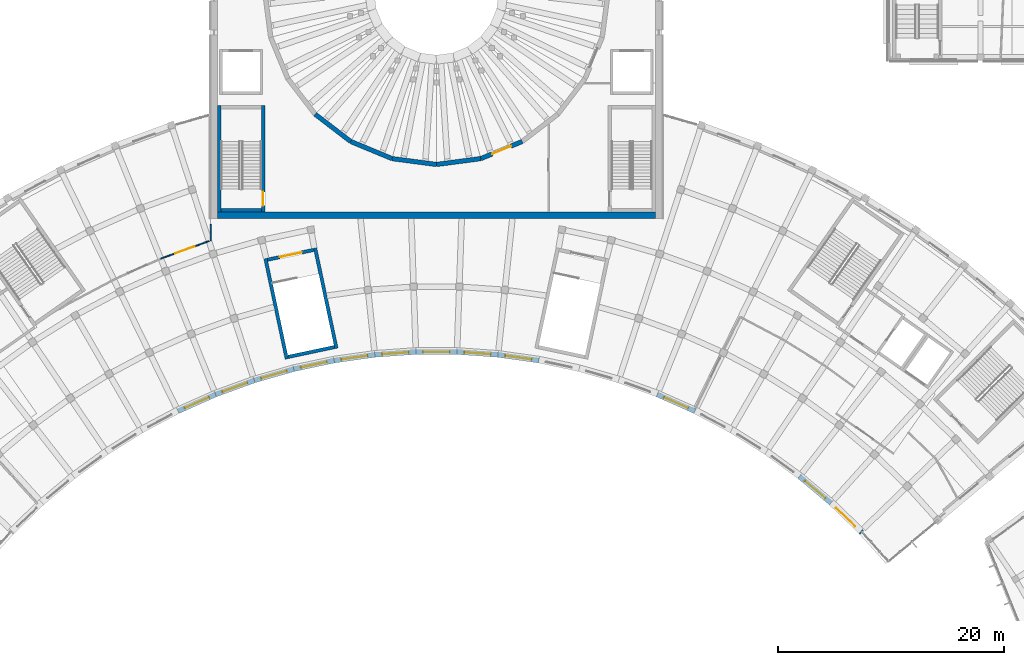
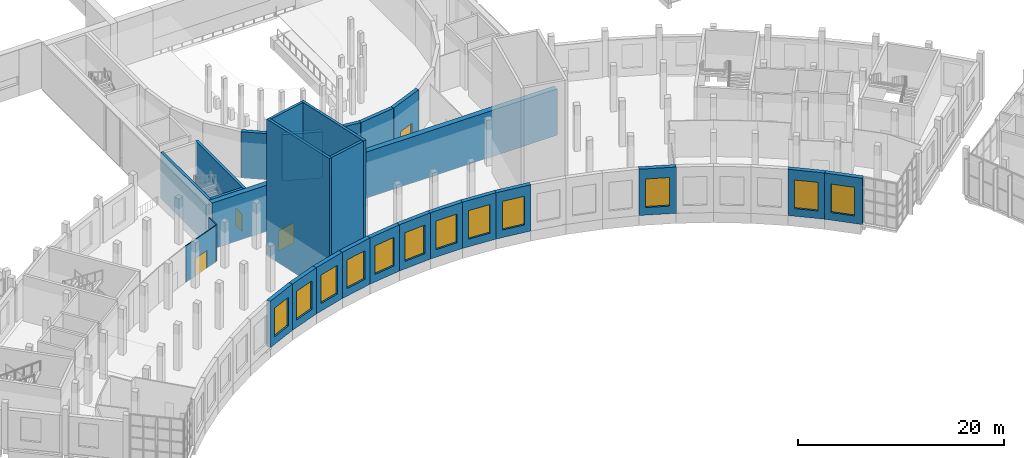
# One storey, part 33 of 87: 27 walls, 12 windows, 4 doors, 16 openings.
"""IFC4 building model written with IfcOpenShell, lengths in metres."""

import ifcopenshell
import ifcopenshell.guid

model = None  # the IFC model being written
_history = None  # IfcOwnerHistory: only IFC2X3 demands one
_inside = {}  # id of a spatial element -> (the spatial element, [elements in it])
_under = {}  # id of a project, library or spatial element -> (it, [spatial elements below it])
_declared = {}  # id of a project -> (the project, [libraries it declares])
_typed = {}  # id of a type object -> (the type object, [elements of that type])
_made_of = {}  # id of a material, layer set ... -> (it, [elements and type objects made of it])


def new_model(schema):
    """Start an empty IFC model of exactly this schema.

    Asked for "IFC4X3", IfcOpenShell would pick the latest addendum, in which some entities
    have other attributes; the version numbers below select the first issue.
    IFC2X3 requires an IfcOwnerHistory on every rooted entity: one is made here for all.
    """
    global model, _history
    if schema == "IFC4X3":
        model = ifcopenshell.file(schema_version=(4, 3, 0, 0))
    else:
        model = ifcopenshell.file(schema=schema)
    _inside.clear()
    _under.clear()
    _declared.clear()
    _typed.clear()
    _made_of.clear()
    _history = None
    if model.schema == "IFC2X3":
        org = make("IfcOrganization", Name="unknown")
        user = make(
            "IfcPersonAndOrganization",
            ThePerson=make("IfcPerson", FamilyName="unknown"),
            TheOrganization=org,
        )
        app = make(
            "IfcApplication",
            ApplicationDeveloper=org,
            Version="unknown",
            ApplicationFullName="unknown",
            ApplicationIdentifier="unknown",
        )
        _history = make(
            "IfcOwnerHistory",
            OwningUser=user,
            OwningApplication=app,
            ChangeAction="ADDED",
            CreationDate=0,
        )
    return model


def make(cls, **values):
    """One entity of the class cls with the attributes given. An attribute that is None is left unset."""
    return model.create_entity(
        cls, **{name: value for name, value in values.items() if value is not None}
    )


def rooted(cls, **values):
    """An entity with a GlobalId (a new one), such as an element, a storey or a relation."""
    return make(cls, GlobalId=ifcopenshell.guid.new(), OwnerHistory=_history, **values)


def si_unit(unit_type, name, prefix=None):
    """IfcSIUnit, for example si_unit("LENGTHUNIT", "METRE", prefix="MILLI")."""
    return make("IfcSIUnit", UnitType=unit_type, Prefix=prefix, Name=name)


def assignment(units):
    """IfcUnitAssignment: the units of a project."""
    return None if units is None else make("IfcUnitAssignment", Units=units)


def point(xyz):
    """IfcCartesianPoint."""
    return None if xyz is None else make("IfcCartesianPoint", Coordinates=xyz)


def direction(xyz):
    """IfcDirection."""
    return None if xyz is None else make("IfcDirection", DirectionRatios=xyz)


def frame(location, z_axis=None, x_axis=None):
    """IfcAxis2Placement3D, a coordinate frame: its origin and axes. An axis left out is left unset."""
    return make(
        "IfcAxis2Placement3D",
        Location=point(location),
        Axis=direction(z_axis),
        RefDirection=direction(x_axis),
    )


def frame_2d(location, x_axis=None):
    """IfcAxis2Placement2D, a coordinate frame in the plane: its origin and x axis."""
    return make(
        "IfcAxis2Placement2D", Location=point(location), RefDirection=direction(x_axis)
    )


def origin():
    """The frame at (0, 0, 0) with its axes left unset."""
    return frame((0.0, 0.0, 0.0))


def place(relative_to, where):
    """IfcLocalPlacement: puts the frame where relative to a parent placement (None: the world)."""
    return make(
        "IfcLocalPlacement", PlacementRelTo=relative_to, RelativePlacement=where
    )


def context(
    kind, dimensions, precision=None, world=None, true_north=None, identifier=None
):
    """IfcGeometricRepresentationContext, for example the 3D "Model" context."""
    return make(
        "IfcGeometricRepresentationContext",
        ContextIdentifier=identifier,
        ContextType=kind,
        CoordinateSpaceDimension=dimensions,
        Precision=precision,
        WorldCoordinateSystem=world,
        TrueNorth=true_north,
    )


def subcontext(parent, identifier, kind, view, scale=None):
    """IfcGeometricRepresentationSubContext, for example "Body" below "Model"."""
    return make(
        "IfcGeometricRepresentationSubContext",
        ContextIdentifier=identifier,
        ContextType=kind,
        ParentContext=parent,
        TargetScale=scale,
        TargetView=view,
    )


def project(units=None, contexts=None):
    """IfcProject with its units and contexts."""
    return rooted(
        "IfcProject",
        Name="project",
        RepresentationContexts=contexts,
        UnitsInContext=assignment(units),
    )


def spatial(cls, under=None, at=None, **own):
    """A site, building, storey or space (cls), placed at a placement, below another one or the project."""
    s = rooted(cls, ObjectPlacement=at, **own)
    if under is not None:
        _under.setdefault(under.id(), (under, []))[1].append(s)
    return s


def profile(cls, at=None, kind="AREA", **sizes):
    """A parametric profile (cls). Its sizes go by their IFC names, for example OverallWidth=200.0."""
    return make(cls, ProfileType=kind, Position=at, **sizes)


def rectangle(**sizes):
    """IfcRectangleProfileDef."""
    return profile("IfcRectangleProfileDef", **sizes)


def extrude(swept, where, along, depth):
    """IfcExtrudedAreaSolid: the profile swept, set in the frame where, extruded along a direction by depth."""
    return make(
        "IfcExtrudedAreaSolid",
        SweptArea=swept,
        Position=where,
        ExtrudedDirection=direction(along),
        Depth=depth,
    )


def shape(context_of_items, identifier, shape_type, items):
    """IfcShapeRepresentation: the items that make up one representation, for example the "Body"."""
    return make(
        "IfcShapeRepresentation",
        ContextOfItems=context_of_items,
        RepresentationIdentifier=identifier,
        RepresentationType=shape_type,
        Items=items,
    )


def material(Name=None, Category=None):
    """IfcMaterial."""
    return make("IfcMaterial", Name=Name, Category=Category)


def layer(
    of_material, thickness, ventilated=None, Name=None, Category=None, Priority=None
):
    """IfcMaterialLayer: one layer of a wall or slab, of a material (None: an air gap)."""
    return make(
        "IfcMaterialLayer",
        Material=of_material,
        LayerThickness=thickness,
        IsVentilated=ventilated,
        Name=Name,
        Category=Category,
        Priority=Priority,
    )


def layer_set(layers, Name=None):
    """IfcMaterialLayerSet."""
    return make("IfcMaterialLayerSet", MaterialLayers=layers, LayerSetName=Name)


def made_of(thing, what):
    """Note that an element or type object is made of a material, layer set ...; save() writes the relation."""
    if what is not None:
        _made_of.setdefault(what.id(), (what, []))[1].append(thing)
    return thing


def type_object(cls, material=None, **own):
    """A type object (cls), such as IfcWallType, which elements share."""
    return made_of(rooted(cls, **own), material)


def element(
    cls,
    number,
    at=None,
    inside=None,
    cuts=None,
    type_object=None,
    material=None,
    context=None,
    identifier="Body",
    shape_type=None,
    held_by="IfcProductDefinitionShape",
    body=None,
    shapes=None,
    **own,
):
    """One element of the class cls, such as IfcWall. Its Tag is "e" and its number.

    at: its placement. inside: the storey or other place that contains it. cuts: it is an
    opening in that element (IfcRelVoidsElement). A single representation is given by context,
    identifier, shape_type and body (its items); several are given by shapes. held_by: the class
    of the entity that holds the representations. save() writes the other relations.
    """
    e = rooted(cls, Tag="e%d" % number, ObjectPlacement=at, **own)
    if body is not None:
        shapes = [shape(context, identifier, shape_type, body)]
    if shapes is not None:
        e.Representation = make(held_by, Representations=shapes)
    if inside is not None:
        _inside.setdefault(inside.id(), (inside, []))[1].append(e)
    if cuts is not None:
        rooted(
            "IfcRelVoidsElement", RelatingBuildingElement=cuts, RelatedOpeningElement=e
        )
    if type_object is not None:
        _typed.setdefault(type_object.id(), (type_object, []))[1].append(e)
    return made_of(e, material)


def fill(opening, filler):
    """IfcRelFillsElement: the door or window that sits in an opening."""
    return rooted(
        "IfcRelFillsElement",
        RelatingOpeningElement=opening,
        RelatedBuildingElement=filler,
    )


def aggregate(whole, parts):
    """IfcRelAggregates: a whole, such as a stair, and the parts it consists of."""
    return rooted("IfcRelAggregates", RelatingObject=whole, RelatedObjects=parts)


def save(model, path):
    """Write the relations noted so far, then the file.

    IfcRelAggregates (storeys below a building ...), IfcRelContainedInSpatialStructure (elements
    in a storey), IfcRelDefinesByType, IfcRelAssociatesMaterial and IfcRelDeclares: one each for
    every whole, place, type object, material and project.
    """
    for whole, parts in _under.values():
        aggregate(whole, parts)
    for where, things in _inside.values():
        rooted(
            "IfcRelContainedInSpatialStructure",
            RelatedElements=things,
            RelatingStructure=where,
        )
    for kind, things in _typed.values():
        rooted("IfcRelDefinesByType", RelatedObjects=things, RelatingType=kind)
    for what, things in _made_of.values():
        rooted("IfcRelAssociatesMaterial", RelatedObjects=things, RelatingMaterial=what)
    for by, libraries in _declared.values():
        rooted("IfcRelDeclares", RelatingContext=by, RelatedDefinitions=libraries)
    model.write(path)


model = new_model("IFC4")

# Units and contexts
model_context = context("Model", 3, precision=1e-05, world=origin(), true_north=direction((0.0, 1.0)))
body_context = subcontext(model_context, "Body", "Model", "MODEL_VIEW")
ifc_project = project(units=[si_unit("LENGTHUNIT", "METRE"), si_unit("AREAUNIT", "SQUARE_METRE"), si_unit("VOLUMEUNIT", "CUBIC_METRE"), si_unit("PLANEANGLEUNIT", "RADIAN"), si_unit("MASSUNIT", "GRAM", prefix="KILO")], contexts=[model_context])

# Site, building, storey
site_placement = place(None, origin())
site = spatial("IfcSite", under=ifc_project, at=site_placement, CompositionType="ELEMENT")
building_placement = place(site_placement, origin())
building = spatial("IfcBuilding", under=site, at=building_placement, Name="Lunette Opera House", CompositionType="ELEMENT")
storey_placement = place(building_placement, frame((0.0, 0.0, 11.5)))
storey = spatial("IfcBuildingStorey", under=building, at=storey_placement, Name="L02", CompositionType="ELEMENT", Elevation=11.5)

# Wall, opening, window
ifc_material_1 = material(Name="Clinker brick", Category="masonry")
ifc_layer_1 = layer(ifc_material_1, 0.449951171875)
ifc_layer_set_1 = layer_set([ifc_layer_1], Name="Clinker brick")
wall_type_1 = type_object("IfcWallType", Name="CRESCENT BRICK WALL 450", PredefinedType="SOLIDWALL", material=ifc_layer_set_1)
wall_1_placement = place(storey_placement, frame((73.10595703125, 46.93994140625, 0.0), z_axis=(0.0, 0.0, 1.0), x_axis=(0.913593217191, 0.40662935642, 0.0)))
wall_1 = element("IfcWall", 1, at=wall_1_placement, inside=storey, type_object=wall_type_1, Name="Crescent Brick Wall 450 BW-A06 L02", PredefinedType="SOLIDWALL", context=body_context, shape_type="SweptSolid", body=[
    extrude(rectangle(XDim=3.64501953125, YDim=0.449951171875, at=frame_2d((1.822509765625, 0.0))), origin(), (0.0, 0.0, 1.0), 5.5),
])
opening_1_placement = place(wall_1_placement, frame((0.653076171875, 0.0, 0.89990234375)))
opening_1 = element("IfcOpeningElement", 2, at=opening_1_placement, cuts=wall_1, Name="Opening FC-N2016", PredefinedType="OPENING", context=body_context, shape_type="SweptSolid", body=[
    extrude(rectangle(XDim=2.340087890625, YDim=3.39990234375, at=frame_2d((1.169921875, 1.699951171875))), frame((0.0, 0.237060546875, 0.0), z_axis=(0.0, -1.0, 0.0), x_axis=(1.0, 0.0, 0.0)), (0.0, 0.0, 1.0), 0.473876953125),
])
ifc_material_2 = material(Name="Aluminium", Category="aluminium")
window_type = type_object("IfcWindowType", Name="CHICAGO WINDOW 2340 X 3400", PartitioningType="TRIPLE_PANEL_VERTICAL", PredefinedType="WINDOW", material=ifc_material_2)
window_1_placement = place(opening_1_placement, origin())
window_1 = element("IfcWindow", 3, at=window_1_placement, inside=storey, type_object=window_type, Name="Chicago Window 2340 X 3400 BW-A06 L02", OverallHeight=3.39990234375, OverallWidth=2.340087890625, PartitioningType="TRIPLE_PANEL_VERTICAL", PredefinedType="WINDOW", context=body_context, shape_type="SweptSolid", body=[
    extrude(rectangle(XDim=2.340087890625, YDim=3.39990234375, at=frame_2d((1.169921875, 1.699951171875))), frame((0.0, 0.030029296875, 0.0), z_axis=(0.0, -1.0, 0.0), x_axis=(1.0, 0.0, 0.0)), (0.0, 0.0, 1.0), 0.06005859375),
])
fill(opening_1, window_1)

wall_2_placement = place(storey_placement, frame((76.43603515625, 48.422119140625, 0.0), z_axis=(0.0, 0.0, 1.0), x_axis=(0.939705410483, 0.341985001877, 0.0)))
wall_2 = element("IfcWall", 4, at=wall_2_placement, inside=storey, type_object=wall_type_1, Name="Crescent Brick Wall 450 BW-A07 L02", PredefinedType="SOLIDWALL", context=body_context, shape_type="SweptSolid", body=[
    extrude(rectangle(XDim=3.645751953125, YDim=0.449951171875, at=frame_2d((1.82275390625, 0.0))), origin(), (0.0, 0.0, 1.0), 5.5),
])
opening_2_placement = place(wall_2_placement, frame((0.653076171875, 0.0, 0.89990234375)))
opening_2 = element("IfcOpeningElement", 5, at=opening_2_placement, cuts=wall_2, Name="Opening FC-N2019", PredefinedType="OPENING", context=body_context, shape_type="SweptSolid", body=[
    extrude(rectangle(XDim=2.340087890625, YDim=3.39990234375, at=frame_2d((1.169921875, 1.699951171875))), frame((0.0, 0.237060546875, 0.0), z_axis=(0.0, -1.0, 0.0), x_axis=(1.0, 0.0, 0.0)), (0.0, 0.0, 1.0), 0.473876953125),
])
window_2_placement = place(opening_2_placement, origin())
window_2 = element("IfcWindow", 6, at=window_2_placement, inside=storey, type_object=window_type, Name="Chicago Window 2340 X 3400 BW-A07 L02", OverallHeight=3.39990234375, OverallWidth=2.340087890625, PartitioningType="TRIPLE_PANEL_VERTICAL", PredefinedType="WINDOW", context=body_context, shape_type="SweptSolid", body=[
    extrude(rectangle(XDim=2.340087890625, YDim=3.39990234375, at=frame_2d((1.169921875, 1.699951171875))), frame((0.0, 0.030029296875, 0.0), z_axis=(0.0, -1.0, 0.0), x_axis=(1.0, 0.0, 0.0)), (0.0, 0.0, 1.0), 0.06005859375),
])
fill(opening_2, window_2)

wall_3_placement = place(storey_placement, frame((79.862060546875, 49.6689453125, 0.0), z_axis=(0.0, 0.0, 1.0), x_axis=(0.961232761004, 0.275738243942, 0.0)))
wall_3 = element("IfcWall", 7, at=wall_3_placement, inside=storey, type_object=wall_type_1, Name="Crescent Brick Wall 450 BW-A08 L02", PredefinedType="SOLIDWALL", context=body_context, shape_type="SweptSolid", body=[
    extrude(rectangle(XDim=3.645263671875, YDim=0.449951171875, at=frame_2d((1.82275390625, 0.0))), origin(), (0.0, 0.0, 1.0), 5.5),
])
opening_3_placement = place(wall_3_placement, frame((0.653076171875, 0.0, 0.89990234375)))
opening_3 = element("IfcOpeningElement", 8, at=opening_3_placement, cuts=wall_3, Name="Opening FC-N2022", PredefinedType="OPENING", context=body_context, shape_type="SweptSolid", body=[
    extrude(rectangle(XDim=2.340087890625, YDim=3.39990234375, at=frame_2d((1.169921875, 1.699951171875))), frame((0.0, 0.237060546875, 0.0), z_axis=(0.0, -1.0, 0.0), x_axis=(1.0, 0.0, 0.0)), (0.0, 0.0, 1.0), 0.473876953125),
])
window_3_placement = place(opening_3_placement, origin())
window_3 = element("IfcWindow", 9, at=window_3_placement, inside=storey, type_object=window_type, Name="Chicago Window 2340 X 3400 BW-A08 L02", OverallHeight=3.39990234375, OverallWidth=2.340087890625, PartitioningType="TRIPLE_PANEL_VERTICAL", PredefinedType="WINDOW", context=body_context, shape_type="SweptSolid", body=[
    extrude(rectangle(XDim=2.340087890625, YDim=3.39990234375, at=frame_2d((1.169921875, 1.699951171875))), frame((0.0, 0.030029296875, 0.0), z_axis=(0.0, -1.0, 0.0), x_axis=(1.0, 0.0, 0.0)), (0.0, 0.0, 1.0), 0.06005859375),
])
fill(opening_3, window_3)

wall_4_placement = place(storey_placement, frame((83.365966796875, 50.674072265625, 0.0), z_axis=(0.0, 0.0, 1.0), x_axis=(0.97814420729, 0.207927655077, 0.0)))
wall_4 = element("IfcWall", 10, at=wall_4_placement, inside=storey, type_object=wall_type_1, Name="Crescent Brick Wall 450 BW-A09 L02", PredefinedType="SOLIDWALL", context=body_context, shape_type="SweptSolid", body=[
    extrude(rectangle(XDim=3.64453125, YDim=0.449951171875, at=frame_2d((1.822265625, 0.0))), origin(), (0.0, 0.0, 1.0), 5.5),
])
opening_4_placement = place(wall_4_placement, frame((0.653076171875, 0.0, 0.89990234375)))
opening_4 = element("IfcOpeningElement", 11, at=opening_4_placement, cuts=wall_4, Name="Opening FC-N2025", PredefinedType="OPENING", context=body_context, shape_type="SweptSolid", body=[
    extrude(rectangle(XDim=2.340087890625, YDim=3.39990234375, at=frame_2d((1.169921875, 1.699951171875))), frame((0.0, 0.237060546875, 0.0), z_axis=(0.0, -1.0, 0.0), x_axis=(1.0, 0.0, 0.0)), (0.0, 0.0, 1.0), 0.473876953125),
])
window_4_placement = place(opening_4_placement, origin())
window_4 = element("IfcWindow", 12, at=window_4_placement, inside=storey, type_object=window_type, Name="Chicago Window 2340 X 3400 BW-A09 L02", OverallHeight=3.39990234375, OverallWidth=2.340087890625, PartitioningType="TRIPLE_PANEL_VERTICAL", PredefinedType="WINDOW", context=body_context, shape_type="SweptSolid", body=[
    extrude(rectangle(XDim=2.340087890625, YDim=3.39990234375, at=frame_2d((1.169921875, 1.699951171875))), frame((0.0, 0.030029296875, 0.0), z_axis=(0.0, -1.0, 0.0), x_axis=(1.0, 0.0, 0.0)), (0.0, 0.0, 1.0), 0.06005859375),
])
fill(opening_4, window_4)

wall_5_placement = place(storey_placement, frame((86.930908203125, 51.431884765625, 0.0), z_axis=(0.0, 0.0, 1.0), x_axis=(0.990278932008, 0.139095782903, 0.0)))
wall_5 = element("IfcWall", 13, at=wall_5_placement, inside=storey, type_object=wall_type_1, Name="Crescent Brick Wall 450 BW-A10 L02", PredefinedType="SOLIDWALL", context=body_context, shape_type="SweptSolid", body=[
    extrude(rectangle(XDim=3.6455078125, YDim=0.449951171875, at=frame_2d((1.82275390625, 0.0))), origin(), (0.0, 0.0, 1.0), 5.5),
])
opening_5_placement = place(wall_5_placement, frame((0.653076171875, 0.0, 0.89990234375)))
opening_5 = element("IfcOpeningElement", 14, at=opening_5_placement, cuts=wall_5, Name="Opening FC-N2028", PredefinedType="OPENING", context=body_context, shape_type="SweptSolid", body=[
    extrude(rectangle(XDim=2.340087890625, YDim=3.39990234375, at=frame_2d((1.169921875, 1.699951171875))), frame((0.0, 0.237060546875, 0.0), z_axis=(0.0, -1.0, 0.0), x_axis=(1.0, 0.0, 0.0)), (0.0, 0.0, 1.0), 0.473876953125),
])
window_5_placement = place(opening_5_placement, origin())
window_5 = element("IfcWindow", 15, at=window_5_placement, inside=storey, type_object=window_type, Name="Chicago Window 2340 X 3400 BW-A10 L02", OverallHeight=3.39990234375, OverallWidth=2.340087890625, PartitioningType="TRIPLE_PANEL_VERTICAL", PredefinedType="WINDOW", context=body_context, shape_type="SweptSolid", body=[
    extrude(rectangle(XDim=2.340087890625, YDim=3.39990234375, at=frame_2d((1.169921875, 1.699951171875))), frame((0.0, 0.030029296875, 0.0), z_axis=(0.0, -1.0, 0.0), x_axis=(1.0, 0.0, 0.0)), (0.0, 0.0, 1.0), 0.06005859375),
])
fill(opening_5, window_5)

wall_6_placement = place(storey_placement, frame((90.541015625, 51.93896484375, 0.0), z_axis=(0.0, 0.0, 1.0), x_axis=(0.99756600756, 0.069728477397, 0.0)))
wall_6 = element("IfcWall", 16, at=wall_6_placement, inside=storey, type_object=wall_type_1, Name="Crescent Brick Wall 450 BW-A11 L02", PredefinedType="SOLIDWALL", context=body_context, shape_type="SweptSolid", body=[
    extrude(rectangle(XDim=3.644775390625, YDim=0.449951171875, at=frame_2d((1.822265625, 0.0))), origin(), (0.0, 0.0, 1.0), 5.5),
])
opening_6_placement = place(wall_6_placement, frame((0.653076171875, 0.0, 0.89990234375)))
opening_6 = element("IfcOpeningElement", 17, at=opening_6_placement, cuts=wall_6, Name="Opening FC-N2031", PredefinedType="OPENING", context=body_context, shape_type="SweptSolid", body=[
    extrude(rectangle(XDim=2.340087890625, YDim=3.39990234375, at=frame_2d((1.169921875, 1.699951171875))), frame((0.0, 0.237060546875, 0.0), z_axis=(0.0, -1.0, 0.0), x_axis=(1.0, 0.0, 0.0)), (0.0, 0.0, 1.0), 0.473876953125),
])
window_6_placement = place(opening_6_placement, origin())
window_6 = element("IfcWindow", 18, at=window_6_placement, inside=storey, type_object=window_type, Name="Chicago Window 2340 X 3400 BW-A11 L02", OverallHeight=3.39990234375, OverallWidth=2.340087890625, PartitioningType="TRIPLE_PANEL_VERTICAL", PredefinedType="WINDOW", context=body_context, shape_type="SweptSolid", body=[
    extrude(rectangle(XDim=2.340087890625, YDim=3.39990234375, at=frame_2d((1.169921875, 1.699951171875))), frame((0.0, 0.030029296875, 0.0), z_axis=(0.0, -1.0, 0.0), x_axis=(1.0, 0.0, 0.0)), (0.0, 0.0, 1.0), 0.06005859375),
])
fill(opening_6, window_6)

wall_7_placement = place(storey_placement, frame((94.177001953125, 52.193115234375, 0.0), z_axis=(0.0, 0.0, 1.0), x_axis=(1.0, 0.0, 0.0)))
wall_7 = element("IfcWall", 19, at=wall_7_placement, inside=storey, type_object=wall_type_1, Name="Crescent Brick Wall 450 BW-A12 L02", PredefinedType="SOLIDWALL", context=body_context, shape_type="SweptSolid", body=[
    extrude(rectangle(XDim=3.64599609375, YDim=0.449951171875, at=frame_2d((1.822998046875, 0.0))), origin(), (0.0, 0.0, 1.0), 5.5),
])
opening_7_placement = place(wall_7_placement, frame((0.653076171875, 0.0, 0.89990234375)))
opening_7 = element("IfcOpeningElement", 20, at=opening_7_placement, cuts=wall_7, Name="Opening FC-N2034", PredefinedType="OPENING", context=body_context, shape_type="SweptSolid", body=[
    extrude(rectangle(XDim=2.340087890625, YDim=3.39990234375, at=frame_2d((1.169921875, 1.699951171875))), frame((0.0, 0.237060546875, 0.0), z_axis=(0.0, -1.0, 0.0), x_axis=(1.0, 0.0, 0.0)), (0.0, 0.0, 1.0), 0.473876953125),
])
window_7_placement = place(opening_7_placement, origin())
window_7 = element("IfcWindow", 21, at=window_7_placement, inside=storey, type_object=window_type, Name="Chicago Window 2340 X 3400 BW-A12 L02", OverallHeight=3.39990234375, OverallWidth=2.340087890625, PartitioningType="TRIPLE_PANEL_VERTICAL", PredefinedType="WINDOW", context=body_context, shape_type="SweptSolid", body=[
    extrude(rectangle(XDim=2.340087890625, YDim=3.39990234375, at=frame_2d((1.169921875, 1.699951171875))), frame((0.0, 0.030029296875, 0.0), z_axis=(0.0, -1.0, 0.0), x_axis=(1.0, 0.0, 0.0)), (0.0, 0.0, 1.0), 0.06005859375),
])
fill(opening_7, window_7)

wall_8_placement = place(storey_placement, frame((97.822998046875, 52.193115234375, 0.0), z_axis=(0.0, 0.0, 1.0), x_axis=(0.99756600756, -0.069728477397, 0.0)))
wall_8 = element("IfcWall", 22, at=wall_8_placement, inside=storey, type_object=wall_type_1, Name="Crescent Brick Wall 450 BW-A13 L02", PredefinedType="SOLIDWALL", context=body_context, shape_type="SweptSolid", body=[
    extrude(rectangle(XDim=3.644775390625, YDim=0.449951171875, at=frame_2d((1.822265625, 0.0))), origin(), (0.0, 0.0, 1.0), 5.5),
])
opening_8_placement = place(wall_8_placement, frame((0.653076171875, 0.0, 0.89990234375)))
opening_8 = element("IfcOpeningElement", 23, at=opening_8_placement, cuts=wall_8, Name="Opening FC-N2037", PredefinedType="OPENING", context=body_context, shape_type="SweptSolid", body=[
    extrude(rectangle(XDim=2.340087890625, YDim=3.39990234375, at=frame_2d((1.169921875, 1.699951171875))), frame((0.0, 0.237060546875, 0.0), z_axis=(0.0, -1.0, 0.0), x_axis=(1.0, 0.0, 0.0)), (0.0, 0.0, 1.0), 0.473876953125),
])
window_8_placement = place(opening_8_placement, origin())
window_8 = element("IfcWindow", 24, at=window_8_placement, inside=storey, type_object=window_type, Name="Chicago Window 2340 X 3400 BW-A13 L02", OverallHeight=3.39990234375, OverallWidth=2.340087890625, PartitioningType="TRIPLE_PANEL_VERTICAL", PredefinedType="WINDOW", context=body_context, shape_type="SweptSolid", body=[
    extrude(rectangle(XDim=2.340087890625, YDim=3.39990234375, at=frame_2d((1.169921875, 1.699951171875))), frame((0.0, 0.030029296875, 0.0), z_axis=(0.0, -1.0, 0.0), x_axis=(1.0, 0.0, 0.0)), (0.0, 0.0, 1.0), 0.06005859375),
])
fill(opening_8, window_8)

wall_9_placement = place(storey_placement, frame((101.458984375, 51.93896484375, 0.0), z_axis=(0.0, 0.0, 1.0), x_axis=(0.990278932008, -0.139095782903, 0.0)))
wall_9 = element("IfcWall", 25, at=wall_9_placement, inside=storey, type_object=wall_type_1, Name="Crescent Brick Wall 450 BW-A14 L02", PredefinedType="SOLIDWALL", context=body_context, shape_type="SweptSolid", body=[
    extrude(rectangle(XDim=3.6455078125, YDim=0.449951171875, at=frame_2d((1.82275390625, 0.0))), origin(), (0.0, 0.0, 1.0), 5.5),
])
opening_9_placement = place(wall_9_placement, frame((0.653076171875, 0.0, 0.89990234375)))
opening_9 = element("IfcOpeningElement", 26, at=opening_9_placement, cuts=wall_9, Name="Opening FC-N2040", PredefinedType="OPENING", context=body_context, shape_type="SweptSolid", body=[
    extrude(rectangle(XDim=2.340087890625, YDim=3.39990234375, at=frame_2d((1.169921875, 1.699951171875))), frame((0.0, 0.237060546875, 0.0), z_axis=(0.0, -1.0, 0.0), x_axis=(1.0, 0.0, 0.0)), (0.0, 0.0, 1.0), 0.473876953125),
])
window_9_placement = place(opening_9_placement, origin())
window_9 = element("IfcWindow", 27, at=window_9_placement, inside=storey, type_object=window_type, Name="Chicago Window 2340 X 3400 BW-A14 L02", OverallHeight=3.39990234375, OverallWidth=2.340087890625, PartitioningType="TRIPLE_PANEL_VERTICAL", PredefinedType="WINDOW", context=body_context, shape_type="SweptSolid", body=[
    extrude(rectangle(XDim=2.340087890625, YDim=3.39990234375, at=frame_2d((1.169921875, 1.699951171875))), frame((0.0, 0.030029296875, 0.0), z_axis=(0.0, -1.0, 0.0), x_axis=(1.0, 0.0, 0.0)), (0.0, 0.0, 1.0), 0.06005859375),
])
fill(opening_9, window_9)

wall_10_placement = place(storey_placement, frame((115.56396484375, 48.422119140625, 0.0), z_axis=(0.0, 0.0, 1.0), x_axis=(0.913593217191, -0.40662935642, 0.0)))
wall_10 = element("IfcWall", 28, at=wall_10_placement, inside=storey, type_object=wall_type_1, Name="Crescent Brick Wall 450 BW-A18 L02", PredefinedType="SOLIDWALL", context=body_context, shape_type="SweptSolid", body=[
    extrude(rectangle(XDim=3.64501953125, YDim=0.449951171875, at=frame_2d((1.822509765625, 0.0))), origin(), (0.0, 0.0, 1.0), 5.5),
])
opening_10_placement = place(wall_10_placement, frame((0.653076171875, 0.0, 0.89990234375)))
opening_10 = element("IfcOpeningElement", 29, at=opening_10_placement, cuts=wall_10, Name="Opening FC-N2052", PredefinedType="OPENING", context=body_context, shape_type="SweptSolid", body=[
    extrude(rectangle(XDim=2.340087890625, YDim=3.39990234375, at=frame_2d((1.169921875, 1.699951171875))), frame((0.0, 0.237060546875, 0.0), z_axis=(0.0, -1.0, 0.0), x_axis=(1.0, 0.0, 0.0)), (0.0, 0.0, 1.0), 0.473876953125),
])
window_10_placement = place(opening_10_placement, origin())
window_10 = element("IfcWindow", 30, at=window_10_placement, inside=storey, type_object=window_type, Name="Chicago Window 2340 X 3400 BW-A18 L02", OverallHeight=3.39990234375, OverallWidth=2.340087890625, PartitioningType="TRIPLE_PANEL_VERTICAL", PredefinedType="WINDOW", context=body_context, shape_type="SweptSolid", body=[
    extrude(rectangle(XDim=2.340087890625, YDim=3.39990234375, at=frame_2d((1.169921875, 1.699951171875))), frame((0.0, 0.030029296875, 0.0), z_axis=(0.0, -1.0, 0.0), x_axis=(1.0, 0.0, 0.0)), (0.0, 0.0, 1.0), 0.06005859375),
])
fill(opening_10, window_10)

wall_11_placement = place(storey_placement, frame((128.153076171875, 41.154052734375, 0.0), z_axis=(0.0, 0.0, 1.0), x_axis=(0.766009592259, -0.642829141038, 0.0)))
wall_11 = element("IfcWall", 31, at=wall_11_placement, inside=storey, type_object=wall_type_1, Name="Crescent Brick Wall 450 BW-A22 L02", PredefinedType="SOLIDWALL", context=body_context, shape_type="SweptSolid", body=[
    extrude(rectangle(XDim=3.644775390625, YDim=0.449951171875, at=frame_2d((1.822265625, 0.0))), origin(), (0.0, 0.0, 1.0), 5.5),
])
opening_11_placement = place(wall_11_placement, frame((0.653076171875, 0.0, 0.89990234375)))
opening_11 = element("IfcOpeningElement", 32, at=opening_11_placement, cuts=wall_11, Name="Opening FC-N2064", PredefinedType="OPENING", context=body_context, shape_type="SweptSolid", body=[
    extrude(rectangle(XDim=2.340087890625, YDim=3.39990234375, at=frame_2d((1.169921875, 1.699951171875))), frame((0.0, 0.237060546875, 0.0), z_axis=(0.0, -1.0, 0.0), x_axis=(1.0, 0.0, 0.0)), (0.0, 0.0, 1.0), 0.473876953125),
])
window_11_placement = place(opening_11_placement, origin())
window_11 = element("IfcWindow", 33, at=window_11_placement, inside=storey, type_object=window_type, Name="Chicago Window 2340 X 3400 BW-A22 L02", OverallHeight=3.39990234375, OverallWidth=2.340087890625, PartitioningType="TRIPLE_PANEL_VERTICAL", PredefinedType="WINDOW", context=body_context, shape_type="SweptSolid", body=[
    extrude(rectangle(XDim=2.340087890625, YDim=3.39990234375, at=frame_2d((1.169921875, 1.699951171875))), frame((0.0, 0.030029296875, 0.0), z_axis=(0.0, -1.0, 0.0), x_axis=(1.0, 0.0, 0.0)), (0.0, 0.0, 1.0), 0.06005859375),
])
fill(opening_11, window_11)

wall_12_placement = place(storey_placement, frame((130.945068359375, 38.81103515625, 0.0), z_axis=(0.0, 0.0, 1.0), x_axis=(0.719395911917, -0.694600260522, 0.0)))
wall_12 = element("IfcWall", 34, at=wall_12_placement, inside=storey, type_object=wall_type_1, Name="Crescent Brick Wall 450 BW-A23 L02", PredefinedType="SOLIDWALL", context=body_context, shape_type="SweptSolid", body=[
    extrude(rectangle(XDim=3.790771484375, YDim=0.449951171875, at=frame_2d((1.8955078125, 0.0))), origin(), (0.0, 0.0, 1.0), 5.5),
])
opening_12_placement = place(wall_12_placement, frame((0.653076171875, 0.0, 0.89990234375)))
opening_12 = element("IfcOpeningElement", 35, at=opening_12_placement, cuts=wall_12, Name="Opening FC-N2067", PredefinedType="OPENING", context=body_context, shape_type="SweptSolid", body=[
    extrude(rectangle(XDim=2.340087890625, YDim=3.39990234375, at=frame_2d((1.169921875, 1.699951171875))), frame((0.0, 0.237060546875, 0.0), z_axis=(0.0, -1.0, 0.0), x_axis=(1.0, 0.0, 0.0)), (0.0, 0.0, 1.0), 0.473876953125),
])
window_12_placement = place(opening_12_placement, origin())
window_12 = element("IfcWindow", 36, at=window_12_placement, inside=storey, type_object=window_type, Name="Chicago Window 2340 X 3400 BW-A23 L02", OverallHeight=3.39990234375, OverallWidth=2.340087890625, PartitioningType="TRIPLE_PANEL_VERTICAL", PredefinedType="WINDOW", context=body_context, shape_type="SweptSolid", body=[
    extrude(rectangle(XDim=2.340087890625, YDim=3.39990234375, at=frame_2d((1.169921875, 1.699951171875))), frame((0.0, 0.030029296875, 0.0), z_axis=(0.0, -1.0, 0.0), x_axis=(1.0, 0.0, 0.0)), (0.0, 0.0, 1.0), 0.06005859375),
])
fill(opening_12, window_12)

# Walls
ifc_material_3 = material(Name="Concrete C35/45", Category="concrete")
ifc_layer_2 = layer(ifc_material_3, 0.300048828125)
ifc_layer_set_2 = layer_set([ifc_layer_2], Name="Concrete C35/45")
wall_type_2 = type_object("IfcWallType", Name="RC STAIR ENCLOSURE WALL 300", PredefinedType="SOLIDWALL", material=ifc_layer_set_2)
wall_13_placement = place(storey_placement, frame((82.85400390625, 51.7470703125, 0.0), z_axis=(0.0, 0.0, 1.0), x_axis=(0.978153236239, 0.207885176084, 0.0)))
element("IfcWall", 37, at=wall_13_placement, inside=storey, type_object=wall_type_2, Name="GS1 enclosure wall 1", PredefinedType="SOLIDWALL", context=body_context, shape_type="SweptSolid", body=[
    extrude(rectangle(XDim=4.19970703125, YDim=0.300048828125, at=frame_2d((2.099853515625, 0.0))), origin(), (0.0, 0.0, 1.0), 16.25),
])
wall_14_placement = place(storey_placement, frame((87.139892578125, 52.5048828125, 0.0), z_axis=(0.0, 0.0, 1.0), x_axis=(-0.207874476801, 0.978155510077, 0.0)))
element("IfcWall", 38, at=wall_14_placement, inside=storey, type_object=wall_type_2, Name="GS1 enclosure wall 2", PredefinedType="SOLIDWALL", context=body_context, shape_type="SweptSolid", body=[
    extrude(rectangle(XDim=9.100830078125, YDim=0.300048828125, at=frame_2d((4.55029296875, 0.0))), origin(), (0.0, 0.0, 1.0), 16.25),
])

# Wall, opening, door
wall_15_placement = place(storey_placement, frame((85.133056640625, 61.22900390625, 0.0), z_axis=(0.0, 0.0, 1.0), x_axis=(-0.978155748334, -0.207873355681, 0.0)))
wall_15 = element("IfcWall", 39, at=wall_15_placement, inside=storey, type_object=wall_type_2, Name="GS1 enclosure wall 3", PredefinedType="SOLIDWALL", context=body_context, shape_type="SweptSolid", body=[
    extrude(rectangle(XDim=4.199951171875, YDim=0.300048828125, at=frame_2d((2.10009765625, 0.0))), origin(), (0.0, 0.0, 1.0), 16.25),
])
opening_13_placement = place(wall_15_placement, frame((1.10009765625, 0.0, 0.0)))
opening_13 = element("IfcOpeningElement", 40, at=opening_13_placement, cuts=wall_15, Name="Opening FC-D7003", PredefinedType="OPENING", context=body_context, shape_type="SweptSolid", body=[
    extrude(rectangle(XDim=2.0, YDim=2.39990234375, at=frame_2d((1.0, 1.199951171875))), frame((0.0, 0.162109375, 0.0), z_axis=(0.0, -1.0, 0.0), x_axis=(1.0, 0.0, 0.0)), (0.0, 0.0, 1.0), 0.323974609375),
])
ifc_material_4 = material(Name="Glass", Category="glass")
door_type_1 = type_object("IfcDoorType", Name="GRAND STAIR DOOR 2000 X 2400", OperationType="DOUBLE_DOOR_SINGLE_SWING", PredefinedType="DOOR", material=ifc_material_4)
door_1_placement = place(opening_13_placement, origin())
door_1 = element("IfcDoor", 41, at=door_1_placement, inside=storey, type_object=door_type_1, Name="GS1 stair door", OperationType="DOUBLE_DOOR_SINGLE_SWING", OverallHeight=2.39990234375, OverallWidth=2.0, PredefinedType="DOOR", context=body_context, shape_type="SweptSolid", body=[
    extrude(rectangle(XDim=2.0, YDim=2.39990234375, at=frame_2d((1.0, 1.199951171875))), frame((0.0, 0.02490234375, 0.0), z_axis=(0.0, -1.0, 0.0), x_axis=(1.0, 0.0, 0.0)), (0.0, 0.0, 1.0), 0.050048828125),
])
fill(opening_13, door_1)

# Wall
wall_16_placement = place(storey_placement, frame((80.846923828125, 60.470947265625, 0.0), z_axis=(0.0, 0.0, 1.0), x_axis=(0.207905598736, -0.978148895626, 0.0)))
element("IfcWall", 42, at=wall_16_placement, inside=storey, type_object=wall_type_2, Name="GS1 enclosure wall 4", PredefinedType="SOLIDWALL", context=body_context, shape_type="SweptSolid", body=[
    extrude(rectangle(XDim=9.100830078125, YDim=0.300048828125, at=frame_2d((4.55029296875, 0.0))), origin(), (0.0, 0.0, 1.0), 16.25),
])

# Wall, opening, door
wall_17_placement = place(storey_placement, frame((80.64990234375, 64.60009765625, 0.0), z_axis=(0.0, 0.0, 1.0), x_axis=(0.0, 1.0, 0.0)))
wall_17 = element("IfcWall", 43, at=wall_17_placement, inside=storey, type_object=wall_type_2, Name="ST7 enclosure wall 1", PredefinedType="SOLIDWALL", context=body_context, shape_type="SweptSolid", body=[
    extrude(rectangle(XDim=9.39990234375, YDim=0.300048828125, at=frame_2d((4.699951171875, 0.0))), origin(), (0.0, 0.0, 1.0), 5.5),
])
opening_14_placement = place(wall_17_placement, frame((0.56005859375, 0.0, 0.0)))
opening_14 = element("IfcOpeningElement", 44, at=opening_14_placement, cuts=wall_17, Name="Opening AU-D7010", PredefinedType="OPENING", context=body_context, shape_type="SweptSolid", body=[
    extrude(rectangle(XDim=1.199951171875, YDim=2.10009765625, at=frame_2d((0.60009765625, 1.050048828125))), frame((0.0, 0.162109375, 0.0), z_axis=(0.0, -1.0, 0.0), x_axis=(1.0, 0.0, 0.0)), (0.0, 0.0, 1.0), 0.323974609375),
])
ifc_material_5 = material(Name="Steel", Category="steel")
door_type_2 = type_object("IfcDoorType", Name="FIRE DOOR 1200 X 2100", OperationType="SINGLE_SWING_LEFT", PredefinedType="DOOR", material=ifc_material_5)
door_2_placement = place(opening_14_placement, origin())
door_2 = element("IfcDoor", 45, at=door_2_placement, inside=storey, type_object=door_type_2, Name="ST7 stair door", OperationType="SINGLE_SWING_LEFT", OverallHeight=2.10009765625, OverallWidth=1.199951171875, PredefinedType="DOOR", context=body_context, shape_type="SweptSolid", body=[
    extrude(rectangle(XDim=1.199951171875, YDim=2.10009765625, at=frame_2d((0.60009765625, 1.050048828125))), frame((0.0, 0.02490234375, 0.0), z_axis=(0.0, -1.0, 0.0), x_axis=(1.0, 0.0, 0.0)), (0.0, 0.0, 1.0), 0.050048828125),
])
fill(opening_14, door_2)

# Walls
wall_18_placement = place(storey_placement, frame((76.75, 74.0, 0.0), z_axis=(0.0, 0.0, 1.0), x_axis=(0.0, -1.0, 0.0)))
element("IfcWall", 46, at=wall_18_placement, inside=storey, type_object=wall_type_2, Name="ST7 enclosure wall 3", PredefinedType="SOLIDWALL", context=body_context, shape_type="SweptSolid", body=[
    extrude(rectangle(XDim=9.39990234375, YDim=0.300048828125, at=frame_2d((4.699951171875, 0.0))), origin(), (0.0, 0.0, 1.0), 5.5),
])
wall_19_placement = place(storey_placement, frame((76.89990234375, 64.75, 0.0), z_axis=(0.0, 0.0, 1.0), x_axis=(1.0, 0.0, 0.0)))
element("IfcWall", 47, at=wall_19_placement, inside=storey, type_object=wall_type_2, Name="ST7 enclosure wall 4", PredefinedType="SOLIDWALL", context=body_context, shape_type="SweptSolid", body=[
    extrude(rectangle(XDim=3.60009765625, YDim=0.300048828125, at=frame_2d((1.800048828125, 0.0))), origin(), (0.0, 0.0, 1.0), 5.5),
])
ifc_material_6 = material(Name="Concrete C35/45", Category="concrete")
ifc_layer_3 = layer(ifc_material_6, 0.39990234375)
ifc_layer_set_3 = layer_set([ifc_layer_3], Name="Concrete C35/45")
wall_type_3 = type_object("IfcWallType", Name="RC WALL 400", PredefinedType="SHEAR", material=ifc_layer_set_3)
wall_20_placement = place(storey_placement, frame((85.25, 73.25, 0.0), z_axis=(0.0, 0.0, 1.0), x_axis=(0.793501388766, -0.608568439888, 0.0)))
element("IfcWall", 48, at=wall_20_placement, inside=storey, type_object=wall_type_3, Name="wall-AU-L02-HW05", PredefinedType="SHEAR", context=body_context, shape_type="SweptSolid", body=[
    extrude(rectangle(XDim=3.968505859375, YDim=0.39990234375, at=frame_2d((1.984375, 0.0))), origin(), (0.0, 0.0, 1.0), 5.5),
])
wall_21_placement = place(storey_placement, frame((88.39892578125, 70.8349609375, 0.0), z_axis=(0.0, 0.0, 1.0), x_axis=(0.923868391388, -0.38271032831, 0.0)))
element("IfcWall", 49, at=wall_21_placement, inside=storey, type_object=wall_type_3, Name="wall-AU-L02-HW06", PredefinedType="SHEAR", context=body_context, shape_type="SweptSolid", body=[
    extrude(rectangle(XDim=3.96923828125, YDim=0.39990234375, at=frame_2d((1.984619140625, 0.0))), origin(), (0.0, 0.0, 1.0), 5.5),
])
for number, where, z_axis, x_axis, name in (
    (50, (92.06591796875, 69.31591796875, 0.0), (0.0, 0.0, 1.0), (0.991448430824, -0.13049907669, 0.0), "wall-AU-L02-HW07"),
    (51, (96.0, 68.798095703125, 0.0), (0.0, 0.0, 1.0), (0.991448430824, 0.13049907669, 0.0), "wall-AU-L02-HW08"),
):
    element("IfcWall", number, at=place(storey_placement, frame(where, z_axis=z_axis, x_axis=x_axis)), inside=storey, type_object=wall_type_3, Name=name, PredefinedType="SHEAR", context=body_context, shape_type="SweptSolid", body=[
        extrude(rectangle(XDim=3.968017578125, YDim=0.39990234375, at=frame_2d((1.98388671875, 0.0))), origin(), (0.0, 0.0, 1.0), 5.5),
    ])

# Wall, opening, door
wall_22_placement = place(storey_placement, frame((99.93408203125, 69.31591796875, 0.0), z_axis=(0.0, 0.0, 1.0), x_axis=(0.923868391388, 0.38271032831, 0.0)))
wall_22 = element("IfcWall", 52, at=wall_22_placement, inside=storey, type_object=wall_type_3, Name="wall-AU-L02-HW09", PredefinedType="SHEAR", context=body_context, shape_type="SweptSolid", body=[
    extrude(rectangle(XDim=3.96923828125, YDim=0.39990234375, at=frame_2d((1.984619140625, 0.0))), origin(), (0.0, 0.0, 1.0), 5.5),
])
opening_15_placement = place(wall_22_placement, frame((1.0849609375, 0.0, 0.0)))
opening_15 = element("IfcOpeningElement", 53, at=opening_15_placement, cuts=wall_22, Name="Opening AU-D3009", PredefinedType="OPENING", context=body_context, shape_type="SweptSolid", body=[
    extrude(rectangle(XDim=1.800048828125, YDim=2.10009765625, at=frame_2d((0.89990234375, 1.050048828125))), frame((0.0, 0.2119140625, 0.0), z_axis=(0.0, -1.0, 0.0), x_axis=(1.0, 0.0, 0.0)), (0.0, 0.0, 1.0), 0.423828125),
])
ifc_material_7 = material(Name="Timber", Category="wood")
door_type_3 = type_object("IfcDoorType", Name="SOUND LOCK DOOR 1800 X 2100", OperationType="DOUBLE_DOOR_SINGLE_SWING", PredefinedType="DOOR", material=ifc_material_7)
door_3_placement = place(opening_15_placement, origin())
door_3 = element("IfcDoor", 54, at=door_3_placement, inside=storey, type_object=door_type_3, Name="Auditorium First Tier door", OperationType="DOUBLE_DOOR_SINGLE_SWING", OverallHeight=2.10009765625, OverallWidth=1.800048828125, PredefinedType="DOOR", context=body_context, shape_type="SweptSolid", body=[
    extrude(rectangle(XDim=1.800048828125, YDim=2.10009765625, at=frame_2d((0.89990234375, 1.050048828125))), frame((0.0, 0.02490234375, 0.0), z_axis=(0.0, -1.0, 0.0), x_axis=(1.0, 0.0, 0.0)), (0.0, 0.0, 1.0), 0.050048828125),
])
fill(opening_15, door_3)

# Wall
ifc_material_8 = material(Name="Concrete C35/45", Category="concrete")
ifc_layer_4 = layer(ifc_material_8, 0.60009765625)
ifc_layer_set_4 = layer_set([ifc_layer_4], Name="Concrete C35/45")
wall_type_4 = type_object("IfcWallType", Name="RC WALL 600", PredefinedType="SHEAR", material=ifc_layer_set_4)
wall_23_placement = place(storey_placement, frame((76.60009765625, 64.300048828125, 0.0), z_axis=(0.0, 0.0, 1.0), x_axis=(1.0, 0.0, 0.0)))
element("IfcWall", 55, at=wall_23_placement, inside=storey, type_object=wall_type_4, Name="wall-AU-L02-WS", PredefinedType="SHEAR", context=body_context, shape_type="SweptSolid", body=[
    extrude(rectangle(XDim=38.7998046875, YDim=0.60009765625, at=frame_2d((19.39990234375, 0.0))), origin(), (0.0, 0.0, 1.0), 5.5),
])

# Wall, opening, door
ifc_material_9 = material(Name="Gypsum board on steel studs", Category="steel")
ifc_layer_5 = layer(ifc_material_9, 0.10009765625)
ifc_layer_set_5 = layer_set([ifc_layer_5], Name="Gypsum board on steel studs")
wall_type_5 = type_object("IfcWallType", Name="STUD PARTITION 100", PredefinedType="PARTITIONING", material=ifc_layer_set_5)
wall_24_placement = place(storey_placement, frame((75.85205078125, 62.009033203125, 0.0), z_axis=(0.0, 0.0, 1.0), x_axis=(-0.939639825715, -0.342165161771, 0.0)))
wall_24 = element("IfcWall", 56, at=wall_24_placement, inside=storey, type_object=wall_type_5, Name="Partition Grand Tier Foyer", PredefinedType="PARTITIONING", context=body_context, shape_type="SweptSolid", body=[
    extrude(rectangle(XDim=4.55078125, YDim=0.10009765625, at=frame_2d((2.275390625, 0.0))), origin(), (0.0, 0.0, 1.0), 4.35009765625),
])
opening_16_placement = place(wall_24_placement, frame((1.375, 0.0, 0.0)))
opening_16 = element("IfcOpeningElement", 57, at=opening_16_placement, cuts=wall_24, Name="Opening FC-D3036", PredefinedType="OPENING", context=body_context, shape_type="SweptSolid", body=[
    extrude(rectangle(XDim=1.800048828125, YDim=2.10009765625, at=frame_2d((0.89990234375, 1.050048828125))), frame((0.0, 0.06201171875, 0.0), z_axis=(0.0, -1.0, 0.0), x_axis=(1.0, 0.0, 0.0)), (0.0, 0.0, 1.0), 0.1240234375),
])
ifc_material_10 = material(Name="Timber", Category="wood")
door_type_4 = type_object("IfcDoorType", Name="DOUBLE FLUSH DOOR 1800 X 2100", OperationType="DOUBLE_DOOR_SINGLE_SWING", PredefinedType="DOOR", material=ifc_material_10)
door_4_placement = place(opening_16_placement, origin())
door_4 = element("IfcDoor", 58, at=door_4_placement, inside=storey, type_object=door_type_4, Name="Donors' Lounge door", OperationType="DOUBLE_DOOR_SINGLE_SWING", OverallHeight=2.10009765625, OverallWidth=1.800048828125, PredefinedType="DOOR", context=body_context, shape_type="SweptSolid", body=[
    extrude(rectangle(XDim=1.800048828125, YDim=2.10009765625, at=frame_2d((0.89990234375, 1.050048828125))), frame((0.0, 0.02490234375, 0.0), z_axis=(0.0, -1.0, 0.0), x_axis=(1.0, 0.0, 0.0)), (0.0, 0.0, 1.0), 0.050048828125),
])
fill(opening_16, door_4)

# Wall
wall_25_placement = place(storey_placement, frame((76.0, 63.5, 0.0), z_axis=(0.0, 0.0, 1.0), x_axis=(0.0, -1.0, 0.0)))
element("IfcWall", 59, at=wall_25_placement, inside=storey, type_object=wall_type_5, Name="Partition Grand Tier Foyer", PredefinedType="PARTITIONING", context=body_context, shape_type="SweptSolid", body=[
    extrude(rectangle(XDim=1.448974609375, YDim=0.10009765625, at=frame_2d((0.724609375, 0.0))), origin(), (0.0, 0.0, 1.0), 4.35009765625),
])

save(model, "model.ifc")
